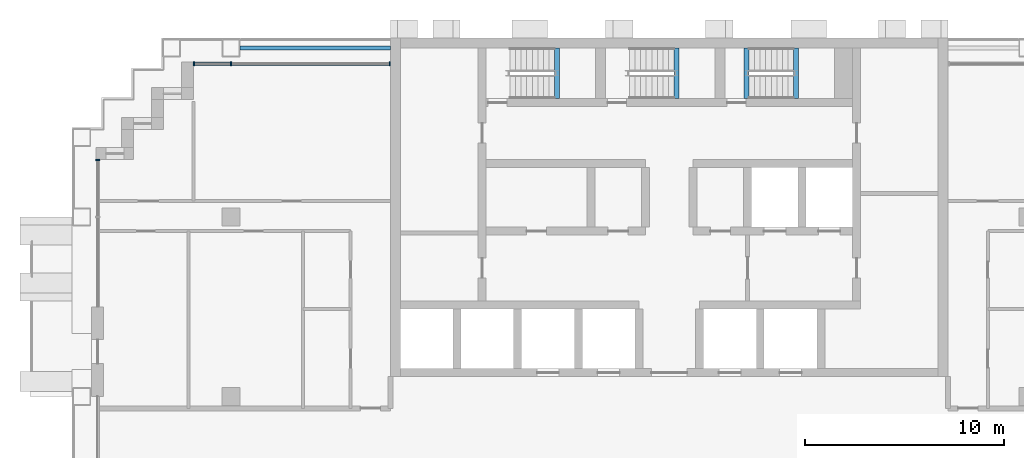
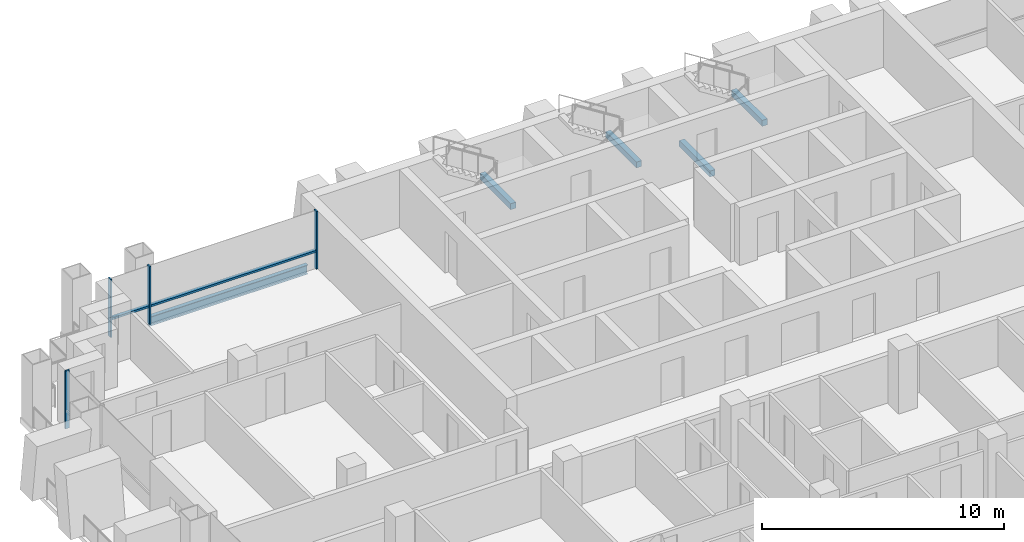
# One storey, part 4 of 17: 6 members, 5 beams, 2 elements without a shape of their own.
"""IFC4 building model written with IfcOpenShell, lengths in metres."""

from ifc_helpers import new_model, si_unit, direction, frame, origin, origin_2d, place, context, subcontext, project, spatial, rectangle, i_section, extrude, material, material_profile, profile_set, type_object, element, aggregate, save


model = new_model("IFC4")

# Units and contexts
model_context = context("Model", 3, precision=1e-05, world=origin(), true_north=direction((0.0, 1.0)))
body_context = subcontext(model_context, "Body", "Model", "MODEL_VIEW")
ifc_project = project(units=[si_unit("LENGTHUNIT", "METRE"), si_unit("AREAUNIT", "SQUARE_METRE"), si_unit("VOLUMEUNIT", "CUBIC_METRE"), si_unit("PLANEANGLEUNIT", "RADIAN"), si_unit("MASSUNIT", "GRAM", prefix="KILO")], contexts=[model_context])

# Site, building, storey
site_placement = place(None, origin())
site = spatial("IfcSite", under=ifc_project, at=site_placement, CompositionType="ELEMENT")
building_placement = place(site_placement, origin())
building = spatial("IfcBuilding", under=site, at=building_placement, Name="Vidyagriha Tower", CompositionType="ELEMENT")
storey_placement = place(building_placement, frame((0.0, 0.0, 77.5)))
storey = spatial("IfcBuildingStorey", under=building, at=storey_placement, Name="L19", CompositionType="ELEMENT", Elevation=77.5)

# Beam
ifc_material_1 = material(Name="Steel ASTM A992 Grade 50", Category="steel")
ifc_material_profile_1 = material_profile(ifc_material_1, i_section(OverallWidth=0.19189453125, OverallDepth=0.46240234375, WebThickness=0.010498046875, FlangeThickness=0.017578125, at=origin_2d()), Name="W18X60")
ifc_profile_set_1 = profile_set([ifc_material_profile_1], Name="Steel ASTM A992 Grade 50")
beam_type_1 = type_object("IfcBeamType", Name="Edge beam W18X60", PredefinedType="SPANDREL", material=ifc_profile_set_1)
beam_placement = place(storey_placement, frame((-21.550048828125, 19.5, -0.51123046875), z_axis=(1.0, 0.0, 0.0), x_axis=(0.0, 1.0, 0.0)))
element("IfcBeam", 1, at=beam_placement, inside=storey, type_object=beam_type_1, Name="st-beam-L19-NC08", PredefinedType="SPANDREL", context=body_context, shape_type="SweptSolid", body=[
    extrude(i_section(OverallWidth=0.19189453125, OverallDepth=0.46240234375, WebThickness=0.010498046875, FlangeThickness=0.017578125, at=origin_2d()), origin(), (0.0, 0.0, 1.0), 7.550048828125),
])

# Curtain wall, members
ifc_material_2 = material(Name="Aluminium and glass curtain wall", Category="aluminium")
curtain_wall_type = type_object("IfcCurtainWallType", Name="Dwelling skin unitised curtain wall", PredefinedType="USERDEFINED", material=ifc_material_2)
curtain_wall_1_placement = place(storey_placement, origin())
curtain_wall_1 = element("IfcCurtainWall", 2, at=curtain_wall_1_placement, inside=storey, type_object=curtain_wall_type, Name="CW1 dwelling skin", ObjectType="UNITISED", PredefinedType="USERDEFINED")
ifc_material_3 = material(Name="Aluminium black anodised", Category="aluminium")
ifc_material_profile_2 = material_profile(ifc_material_3, rectangle(XDim=0.199951171875, YDim=0.070068359375, at=origin_2d()), Name="Mullion 70x200 black aluminium")
ifc_profile_set_2 = profile_set([ifc_material_profile_2], Name="Aluminium black anodised")
member_type_1 = type_object("IfcMemberType", Name="Mullion 70x200 black aluminium", PredefinedType="MULLION", material=ifc_profile_set_2)
member_1_placement = place(storey_placement, frame((-14.034912109375, 18.699951171875, 0.0), z_axis=(0.0, 0.0, 1.0), x_axis=(0.0, -1.0, 0.0)))
member_1 = element("IfcMember", 3, at=member_1_placement, type_object=member_type_1, Name="CW1 mullion 1", PredefinedType="MULLION", context=body_context, shape_type="SweptSolid", body=[
    extrude(rectangle(XDim=0.199951171875, YDim=0.070068359375, at=origin_2d()), origin(), (0.0, 0.0, 1.0), 2.919921875),
])
member_2_placement = place(storey_placement, frame((-22.0, 18.699951171875, 0.0), z_axis=(0.0, 0.0, 1.0), x_axis=(0.0, -1.0, 0.0)))
member_2 = element("IfcMember", 4, at=member_2_placement, type_object=member_type_1, Name="CW1 mullion 2", PredefinedType="MULLION", context=body_context, shape_type="SweptSolid", body=[
    extrude(rectangle(XDim=0.199951171875, YDim=0.070068359375, at=origin_2d()), origin(), (0.0, 0.0, 1.0), 2.919921875),
])
member_3_placement = place(storey_placement, frame((-23.864990234375, 18.699951171875, 0.0), z_axis=(0.0, 0.0, 1.0), x_axis=(0.0, -1.0, 0.0)))
member_3 = element("IfcMember", 5, at=member_3_placement, type_object=member_type_1, Name="CW1 mullion 3", PredefinedType="MULLION", context=body_context, shape_type="SweptSolid", body=[
    extrude(rectangle(XDim=0.199951171875, YDim=0.070068359375, at=origin_2d()), origin(), (0.0, 0.0, 1.0), 2.919921875),
])

# Curtain wall, member
curtain_wall_2_placement = place(storey_placement, origin())
curtain_wall_2 = element("IfcCurtainWall", 6, at=curtain_wall_2_placement, inside=storey, type_object=curtain_wall_type, Name="CW1 dwelling skin", ObjectType="UNITISED", PredefinedType="USERDEFINED")
member_4_placement = place(storey_placement, frame((-28.699951171875, 13.864990234375, 0.0)))
member_4 = element("IfcMember", 7, at=member_4_placement, type_object=member_type_1, Name="CW1 mullion 1", PredefinedType="MULLION", context=body_context, shape_type="SweptSolid", body=[
    extrude(rectangle(XDim=0.199951171875, YDim=0.070068359375, at=origin_2d()), origin(), (0.0, 0.0, 1.0), 2.919921875),
])
aggregate(curtain_wall_2, [member_4])

# Beams
ifc_material_4 = material(Name="Concrete C40/50", Category="concrete")
ifc_material_profile_3 = material_profile(ifc_material_4, rectangle(XDim=0.25, YDim=0.300048828125, at=origin_2d()), Name="Stair landing bearing beam 250x300")
ifc_profile_set_3 = profile_set([ifc_material_profile_3], Name="Concrete C40/50")
beam_type_2 = type_object("IfcBeamType", Name="Stair landing bearing beam 250x300", PredefinedType="BEAM", material=ifc_profile_set_3)
for number, where, z_axis, x_axis, name in (
    (8, (3.875, 16.949951171875, -0.429931640625), (0.0, 1.0, 0.0), (-1.0, 0.0, 0.0), "ST3 floor landing bearing beam L19"),
    (9, (-5.635009765625, 16.949951171875, 1.25), (0.0, 1.0, 0.0), (-1.0, 0.0, 0.0), "ST1 landing bearing beam L19"),
    (10, (0.364990234375, 16.949951171875, 1.25), (0.0, 1.0, 0.0), (-1.0, 0.0, 0.0), "ST2 landing bearing beam L19"),
    (11, (6.364990234375, 16.949951171875, 1.25), (0.0, 1.0, 0.0), (-1.0, 0.0, 0.0), "ST3 landing bearing beam L19"),
):
    element("IfcBeam", number, at=place(storey_placement, frame(where, z_axis=z_axis, x_axis=x_axis)), inside=storey, type_object=beam_type_2, Name=name, PredefinedType="BEAM", context=body_context, shape_type="SweptSolid", body=[
        extrude(rectangle(XDim=0.25, YDim=0.300048828125, at=origin_2d()), origin(), (0.0, 0.0, 1.0), 2.550048828125),
    ])

# Member
ifc_material_5 = material(Name="Aluminium black anodised", Category="aluminium")
ifc_material_profile_4 = material_profile(ifc_material_5, rectangle(XDim=0.159912109375, YDim=0.10009765625, at=origin_2d()), Name="Transom 100x160 black aluminium")
ifc_profile_set_4 = profile_set([ifc_material_profile_4], Name="Aluminium black anodised")
member_type_2 = type_object("IfcMemberType", Name="Transom 100x160 black aluminium", PredefinedType="USERDEFINED", material=ifc_profile_set_4)
member_5_placement = place(storey_placement, frame((-14.070068359375, 18.699951171875, 0.89990234375), z_axis=(-1.0, 0.0, 0.0), x_axis=(0.0, -1.0, 0.0)))
member_5 = element("IfcMember", 12, at=member_5_placement, type_object=member_type_2, Name="CW1 transom 1.1", ObjectType="TRANSOM", PredefinedType="USERDEFINED", context=body_context, shape_type="SweptSolid", body=[
    extrude(rectangle(XDim=0.159912109375, YDim=0.10009765625, at=origin_2d()), origin(), (0.0, 0.0, 1.0), 7.89501953125),
])

member_6_placement = place(storey_placement, frame((-22.034912109375, 18.699951171875, 0.89990234375), z_axis=(-1.0, 0.0, 0.0), x_axis=(0.0, -1.0, 0.0)))
member_6 = element("IfcMember", 13, at=member_6_placement, type_object=member_type_2, Name="CW1 transom 2.1", ObjectType="TRANSOM", PredefinedType="USERDEFINED", context=body_context, shape_type="SweptSolid", body=[
    extrude(rectangle(XDim=0.159912109375, YDim=0.10009765625, at=origin_2d()), origin(), (0.0, 0.0, 1.0), 1.795166015625),
])

aggregate(curtain_wall_1, [member_1, member_2, member_3, member_5, member_6])

save(model, "model.ifc")
